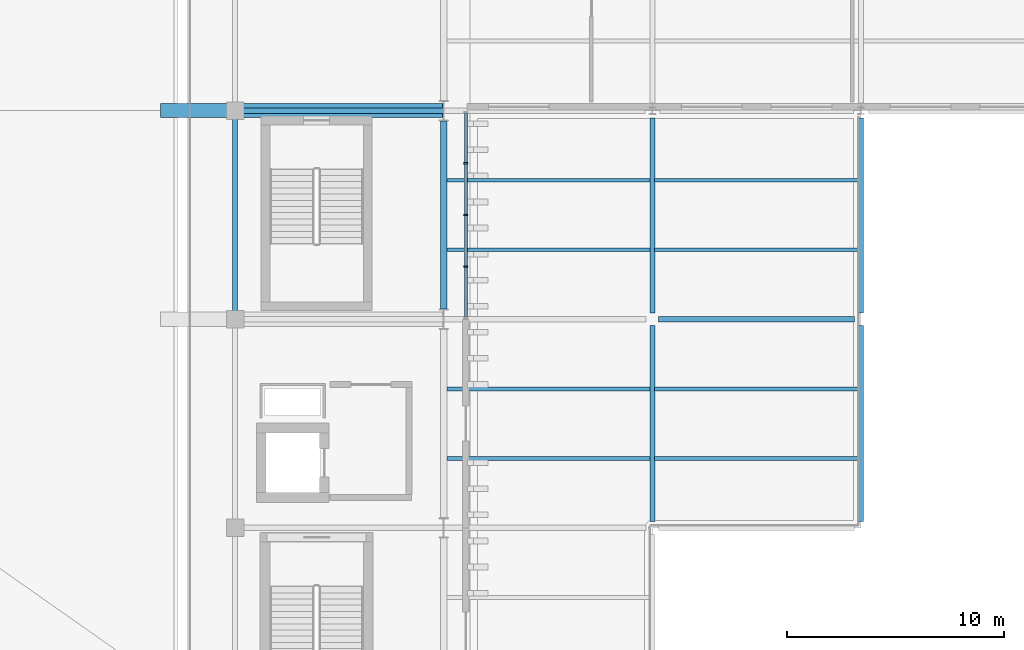
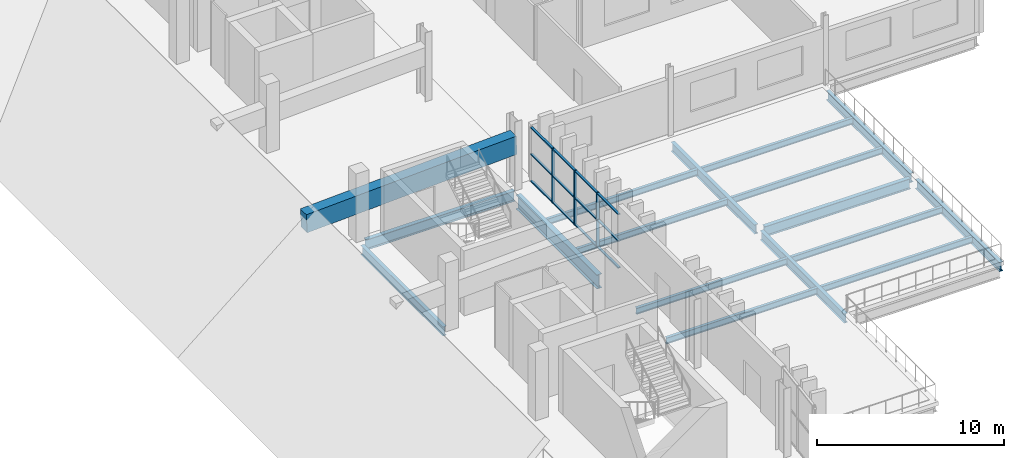
# One storey, part 22 of 69: 17 beams, 15 members, 1 element without a shape of its own.
"""IFC4 building model written with IfcOpenShell, lengths in metres."""

from ifc_helpers import new_model, si_unit, direction, frame, origin, origin_2d, place, context, subcontext, project, spatial, rectangle, i_section, extrude, material, layer, layer_set, material_profile, profile_set, type_object, element, aggregate, save


model = new_model("IFC4")

# Units and contexts
model_context = context("Model", 3, precision=1e-05, world=origin(), true_north=direction((0.0, 1.0)))
body_context = subcontext(model_context, "Body", "Model", "MODEL_VIEW")
ifc_project = project(units=[si_unit("LENGTHUNIT", "METRE"), si_unit("AREAUNIT", "SQUARE_METRE"), si_unit("VOLUMEUNIT", "CUBIC_METRE"), si_unit("PLANEANGLEUNIT", "RADIAN"), si_unit("MASSUNIT", "GRAM", prefix="KILO")], contexts=[model_context])

# Site, building, storey
site_placement = place(None, origin())
site = spatial("IfcSite", under=ifc_project, at=site_placement, CompositionType="ELEMENT")
building_placement = place(site_placement, origin())
building = spatial("IfcBuilding", under=site, at=building_placement, Name="Caelomonte Colonnade Arena", CompositionType="ELEMENT")
storey_placement = place(building_placement, frame((0.0, 0.0, 18.60009765625)))
storey = spatial("IfcBuildingStorey", under=building, at=storey_placement, Name="L04", CompositionType="ELEMENT", Elevation=18.60009765625)

# Curtain wall, members
ifc_material_1 = material(Name="Bronze anodised aluminium and low-E glazing", Category="aluminium")
ifc_layer = layer(ifc_material_1, 0.179931640625)
ifc_layer_set = layer_set([ifc_layer], Name="Bronze anodised aluminium and low-E glazing")
curtain_wall_type = type_object("IfcCurtainWallType", Name="ENV-CW-CW-L04-97-36", PredefinedType="USERDEFINED", material=ifc_layer_set)
curtain_wall_placement = place(storey_placement, origin())
curtain_wall = element("IfcCurtainWall", 1, at=curtain_wall_placement, inside=storey, type_object=curtain_wall_type, Name="L04 unitized curtain wall CW-L04-1642-0625", ObjectType="UNITIZED CURTAIN WALL", PredefinedType="USERDEFINED")
ifc_material_2 = material(Name="Bronze anodised aluminium AA6063-T6", Category="aluminium")
ifc_material_profile_1 = material_profile(ifc_material_2, rectangle(XDim=0.070068359375, YDim=0.179931640625, at=origin_2d()), Name="CWM-70X180")
ifc_profile_set_1 = profile_set([ifc_material_profile_1], Name="Bronze anodised aluminium AA6063-T6")
member_type_1 = type_object("IfcMemberType", Name="ENV-CW-MULL1", PredefinedType="MULLION", material=ifc_profile_set_1)
member_1_placement = place(storey_placement, frame((164.219970703125, 60.02001953125, 0.0), z_axis=(0.0, 0.0, 1.0), x_axis=(0.0, 1.0, 0.0)))
member_1 = element("IfcMember", 2, at=member_1_placement, type_object=member_type_1, Name="CW-L04-97-36 mullion 2", PredefinedType="MULLION", context=body_context, shape_type="SweptSolid", body=[
    extrude(rectangle(XDim=0.070068359375, YDim=0.179931640625, at=origin_2d()), origin(), (0.0, 0.0, 1.0), 3.561767578125),
])
member_2_placement = place(storey_placement, frame((164.219970703125, 62.39990234375, 0.0), z_axis=(0.0, 0.0, 1.0), x_axis=(0.0, 1.0, 0.0)))
member_2 = element("IfcMember", 3, at=member_2_placement, type_object=member_type_1, Name="CW-L04-97-36 mullion 3", PredefinedType="MULLION", context=body_context, shape_type="SweptSolid", body=[
    extrude(rectangle(XDim=0.070068359375, YDim=0.179931640625, at=origin_2d()), origin(), (0.0, 0.0, 1.0), 3.561767578125),
])
member_3_placement = place(storey_placement, frame((164.219970703125, 64.780029296875, 0.0), z_axis=(0.0, 0.0, 1.0), x_axis=(0.0, 1.0, 0.0)))
member_3 = element("IfcMember", 4, at=member_3_placement, type_object=member_type_1, Name="CW-L04-97-36 mullion 4", PredefinedType="MULLION", context=body_context, shape_type="SweptSolid", body=[
    extrude(rectangle(XDim=0.070068359375, YDim=0.179931640625, at=origin_2d()), origin(), (0.0, 0.0, 1.0), 3.561767578125),
])
ifc_material_profile_2 = material_profile(ifc_material_2, rectangle(XDim=0.070068359375, YDim=0.139892578125, at=origin_2d()), Name="CWT-70X140")
ifc_profile_set_2 = profile_set([ifc_material_profile_2], Name="Bronze anodised aluminium AA6063-T6")
member_type_2 = type_object("IfcMemberType", Name="ENV-CW-TRAN1", PredefinedType="USERDEFINED", material=ifc_profile_set_2)
member_4_placement = place(storey_placement, frame((164.219970703125, 57.7099609375, 0.034912109375), z_axis=(0.0, 1.0, 0.0), x_axis=(0.0, 0.0, 1.0)))
member_4 = element("IfcMember", 5, at=member_4_placement, type_object=member_type_2, Name="CW-L04-97-36 transom 1.1", ObjectType="TRANSOM", PredefinedType="USERDEFINED", context=body_context, shape_type="SweptSolid", body=[
    extrude(rectangle(XDim=0.070068359375, YDim=0.139892578125, at=origin_2d()), origin(), (0.0, 0.0, 1.0), 2.275146484375),
])
member_5_placement = place(storey_placement, frame((164.219970703125, 57.7099609375, 1.78076171875), z_axis=(0.0, 1.0, 0.0), x_axis=(0.0, 0.0, 1.0)))
member_5 = element("IfcMember", 6, at=member_5_placement, type_object=member_type_2, Name="CW-L04-97-36 transom 1.2", ObjectType="TRANSOM", PredefinedType="USERDEFINED", context=body_context, shape_type="SweptSolid", body=[
    extrude(rectangle(XDim=0.070068359375, YDim=0.139892578125, at=origin_2d()), origin(), (0.0, 0.0, 1.0), 2.275146484375),
])
member_6_placement = place(storey_placement, frame((164.219970703125, 57.7099609375, 3.526611328125), z_axis=(0.0, 1.0, 0.0), x_axis=(0.0, 0.0, 1.0)))
member_6 = element("IfcMember", 7, at=member_6_placement, type_object=member_type_2, Name="CW-L04-97-36 transom 1.3", ObjectType="TRANSOM", PredefinedType="USERDEFINED", context=body_context, shape_type="SweptSolid", body=[
    extrude(rectangle(XDim=0.070068359375, YDim=0.139892578125, at=origin_2d()), origin(), (0.0, 0.0, 1.0), 2.275146484375),
])
member_7_placement = place(storey_placement, frame((164.219970703125, 60.054931640625, 0.034912109375), z_axis=(0.0, 1.0, 0.0), x_axis=(0.0, 0.0, 1.0)))
member_7 = element("IfcMember", 8, at=member_7_placement, type_object=member_type_2, Name="CW-L04-97-36 transom 2.1", ObjectType="TRANSOM", PredefinedType="USERDEFINED", context=body_context, shape_type="SweptSolid", body=[
    extrude(rectangle(XDim=0.070068359375, YDim=0.139892578125, at=origin_2d()), origin(), (0.0, 0.0, 1.0), 2.31005859375),
])
member_8_placement = place(storey_placement, frame((164.219970703125, 60.054931640625, 1.78076171875), z_axis=(0.0, 1.0, 0.0), x_axis=(0.0, 0.0, 1.0)))
member_8 = element("IfcMember", 9, at=member_8_placement, type_object=member_type_2, Name="CW-L04-97-36 transom 2.2", ObjectType="TRANSOM", PredefinedType="USERDEFINED", context=body_context, shape_type="SweptSolid", body=[
    extrude(rectangle(XDim=0.070068359375, YDim=0.139892578125, at=origin_2d()), origin(), (0.0, 0.0, 1.0), 2.31005859375),
])
member_9_placement = place(storey_placement, frame((164.219970703125, 60.054931640625, 3.526611328125), z_axis=(0.0, 1.0, 0.0), x_axis=(0.0, 0.0, 1.0)))
member_9 = element("IfcMember", 10, at=member_9_placement, type_object=member_type_2, Name="CW-L04-97-36 transom 2.3", ObjectType="TRANSOM", PredefinedType="USERDEFINED", context=body_context, shape_type="SweptSolid", body=[
    extrude(rectangle(XDim=0.070068359375, YDim=0.139892578125, at=origin_2d()), origin(), (0.0, 0.0, 1.0), 2.31005859375),
])
member_10_placement = place(storey_placement, frame((164.219970703125, 62.43505859375, 0.034912109375), z_axis=(0.0, 1.0, 0.0), x_axis=(0.0, 0.0, 1.0)))
member_10 = element("IfcMember", 11, at=member_10_placement, type_object=member_type_2, Name="CW-L04-97-36 transom 3.1", ObjectType="TRANSOM", PredefinedType="USERDEFINED", context=body_context, shape_type="SweptSolid", body=[
    extrude(rectangle(XDim=0.070068359375, YDim=0.139892578125, at=origin_2d()), origin(), (0.0, 0.0, 1.0), 2.31005859375),
])
member_11_placement = place(storey_placement, frame((164.219970703125, 62.43505859375, 1.78076171875), z_axis=(0.0, 1.0, 0.0), x_axis=(0.0, 0.0, 1.0)))
member_11 = element("IfcMember", 12, at=member_11_placement, type_object=member_type_2, Name="CW-L04-97-36 transom 3.2", ObjectType="TRANSOM", PredefinedType="USERDEFINED", context=body_context, shape_type="SweptSolid", body=[
    extrude(rectangle(XDim=0.070068359375, YDim=0.139892578125, at=origin_2d()), origin(), (0.0, 0.0, 1.0), 2.31005859375),
])
member_12_placement = place(storey_placement, frame((164.219970703125, 62.43505859375, 3.526611328125), z_axis=(0.0, 1.0, 0.0), x_axis=(0.0, 0.0, 1.0)))
member_12 = element("IfcMember", 13, at=member_12_placement, type_object=member_type_2, Name="CW-L04-97-36 transom 3.3", ObjectType="TRANSOM", PredefinedType="USERDEFINED", context=body_context, shape_type="SweptSolid", body=[
    extrude(rectangle(XDim=0.070068359375, YDim=0.139892578125, at=origin_2d()), origin(), (0.0, 0.0, 1.0), 2.31005859375),
])
member_13_placement = place(storey_placement, frame((164.219970703125, 64.81494140625, 0.034912109375), z_axis=(0.0, 1.0, 0.0), x_axis=(0.0, 0.0, 1.0)))
member_13 = element("IfcMember", 14, at=member_13_placement, type_object=member_type_2, Name="CW-L04-97-36 transom 4.1", ObjectType="TRANSOM", PredefinedType="USERDEFINED", context=body_context, shape_type="SweptSolid", body=[
    extrude(rectangle(XDim=0.070068359375, YDim=0.139892578125, at=origin_2d()), origin(), (0.0, 0.0, 1.0), 2.275146484375),
])
member_14_placement = place(storey_placement, frame((164.219970703125, 64.81494140625, 1.78076171875), z_axis=(0.0, 1.0, 0.0), x_axis=(0.0, 0.0, 1.0)))
member_14 = element("IfcMember", 15, at=member_14_placement, type_object=member_type_2, Name="CW-L04-97-36 transom 4.2", ObjectType="TRANSOM", PredefinedType="USERDEFINED", context=body_context, shape_type="SweptSolid", body=[
    extrude(rectangle(XDim=0.070068359375, YDim=0.139892578125, at=origin_2d()), origin(), (0.0, 0.0, 1.0), 2.275146484375),
])
member_15_placement = place(storey_placement, frame((164.219970703125, 64.81494140625, 3.526611328125), z_axis=(0.0, 1.0, 0.0), x_axis=(0.0, 0.0, 1.0)))
member_15 = element("IfcMember", 16, at=member_15_placement, type_object=member_type_2, Name="CW-L04-97-36 transom 4.3", ObjectType="TRANSOM", PredefinedType="USERDEFINED", context=body_context, shape_type="SweptSolid", body=[
    extrude(rectangle(XDim=0.070068359375, YDim=0.139892578125, at=origin_2d()), origin(), (0.0, 0.0, 1.0), 2.275146484375),
])
aggregate(curtain_wall, [member_1, member_2, member_3, member_4, member_5, member_6, member_7, member_8, member_9, member_10, member_11, member_12, member_13, member_14, member_15])

# Beams
ifc_material_3 = material(Name="Wide-flange steel ASTM A992 Grade 50", Category="steel")
ifc_material_profile_3 = material_profile(ifc_material_3, i_section(OverallWidth=0.307861328125, OverallDepth=0.927001953125, WebThickness=0.019287109375, FlangeThickness=0.031982421875, FilletRadius=0.020263671875, at=origin_2d()), Name="W36X194")
ifc_profile_set_3 = profile_set([ifc_material_profile_3], Name="Wide-flange steel ASTM A992 Grade 50")
beam_type_1 = type_object("IfcBeamType", Name="STR-BM-EAVES2", PredefinedType="SPANDREL", material=ifc_profile_set_3)
beam_1_placement = place(storey_placement, frame((163.199951171875, 58.065673828125, -0.7236328125), z_axis=(0.0, 1.0, 0.0), x_axis=(-1.0, 0.0, 0.0)))
element("IfcBeam", 17, at=beam_1_placement, inside=storey, type_object=beam_type_1, Name="L04 girder BMY-L04-1632-0576", PredefinedType="SPANDREL", context=body_context, shape_type="SweptSolid", body=[
    extrude(i_section(OverallWidth=0.307861328125, OverallDepth=0.927001953125, WebThickness=0.019287109375, FlangeThickness=0.031982421875, FilletRadius=0.020263671875, at=origin_2d()), origin(), (0.0, 0.0, 1.0), 8.668701171875),
])
ifc_material_profile_4 = material_profile(ifc_material_3, i_section(OverallWidth=0.227783203125, OverallDepth=0.60205078125, WebThickness=0.010498046875, FlangeThickness=0.014892578125, FilletRadius=0.0126953125, at=origin_2d()), Name="W24X68")
ifc_profile_set_4 = profile_set([ifc_material_profile_4], Name="Wide-flange steel ASTM A992 Grade 50")
beam_type_2 = type_object("IfcBeamType", Name="STR-BM-GIRD24B", PredefinedType="SPANDREL", material=ifc_profile_set_4)
beam_2_placement = place(storey_placement, frame((153.60009765625, 57.991943359375, -0.56103515625), z_axis=(0.0, 1.0, 0.0), x_axis=(-1.0, 0.0, 0.0)))
element("IfcBeam", 18, at=beam_2_placement, inside=storey, type_object=beam_type_2, Name="L04 girder BMY-L04-1536-0576", PredefinedType="SPANDREL", context=body_context, shape_type="SweptSolid", body=[
    extrude(i_section(OverallWidth=0.227783203125, OverallDepth=0.60205078125, WebThickness=0.010498046875, FlangeThickness=0.014892578125, FilletRadius=0.0126953125, at=origin_2d()), origin(), (0.0, 0.0, 1.0), 8.816162109375),
])
beam_3_placement = place(storey_placement, frame((172.800048828125, 48.2919921875, -0.56103515625), z_axis=(0.0, 1.0, 0.0), x_axis=(-1.0, 0.0, 0.0)))
element("IfcBeam", 19, at=beam_3_placement, inside=storey, type_object=beam_type_2, Name="L04 girder BMY-L04-1728-0480", PredefinedType="SPANDREL", context=body_context, shape_type="SweptSolid", body=[
    extrude(i_section(OverallWidth=0.227783203125, OverallDepth=0.60205078125, WebThickness=0.010498046875, FlangeThickness=0.014892578125, FilletRadius=0.0126953125, at=origin_2d()), origin(), (0.0, 0.0, 1.0), 9.01611328125),
])
beam_4_placement = place(storey_placement, frame((172.800048828125, 57.89208984375, -0.56103515625), z_axis=(0.0, 1.0, 0.0), x_axis=(-1.0, 0.0, 0.0)))
element("IfcBeam", 20, at=beam_4_placement, inside=storey, type_object=beam_type_2, Name="L04 girder BMY-L04-1728-0576", PredefinedType="SPANDREL", context=body_context, shape_type="SweptSolid", body=[
    extrude(i_section(OverallWidth=0.227783203125, OverallDepth=0.60205078125, WebThickness=0.010498046875, FlangeThickness=0.014892578125, FilletRadius=0.0126953125, at=origin_2d()), origin(), (0.0, 0.0, 1.0), 8.9658203125),
])
beam_5_placement = place(storey_placement, frame((182.39990234375, 48.2919921875, -0.56103515625), z_axis=(0.0, 1.0, 0.0), x_axis=(-1.0, 0.0, 0.0)))
element("IfcBeam", 21, at=beam_5_placement, inside=storey, type_object=beam_type_2, Name="L04 girder BMY-L04-1824-0480", PredefinedType="SPANDREL", context=body_context, shape_type="SweptSolid", body=[
    extrude(i_section(OverallWidth=0.227783203125, OverallDepth=0.60205078125, WebThickness=0.010498046875, FlangeThickness=0.014892578125, FilletRadius=0.0126953125, at=origin_2d()), origin(), (0.0, 0.0, 1.0), 9.01611328125),
])
beam_6_placement = place(storey_placement, frame((182.39990234375, 57.89208984375, -0.56103515625), z_axis=(0.0, 1.0, 0.0), x_axis=(-1.0, 0.0, 0.0)))
element("IfcBeam", 22, at=beam_6_placement, inside=storey, type_object=beam_type_2, Name="L04 girder BMY-L04-1824-0576", PredefinedType="SPANDREL", context=body_context, shape_type="SweptSolid", body=[
    extrude(i_section(OverallWidth=0.227783203125, OverallDepth=0.60205078125, WebThickness=0.010498046875, FlangeThickness=0.014892578125, FilletRadius=0.0126953125, at=origin_2d()), origin(), (0.0, 0.0, 1.0), 8.9658203125),
])
ifc_material_profile_5 = material_profile(ifc_material_3, i_section(OverallWidth=0.253662109375, OverallDepth=0.683349609375, WebThickness=0.012451171875, FlangeThickness=0.018798828125, FilletRadius=0.01513671875, at=origin_2d()), Name="W27X94")
ifc_profile_set_5 = profile_set([ifc_material_profile_5], Name="Wide-flange steel ASTM A992 Grade 50")
beam_type_3 = type_object("IfcBeamType", Name="STR-BM-GIRD27", PredefinedType="BEAM", material=ifc_profile_set_5)
beam_7_placement = place(storey_placement, frame((173.092041015625, 57.60009765625, -0.601806640625), z_axis=(1.0, 0.0, 0.0), x_axis=(0.0, 1.0, 0.0)))
element("IfcBeam", 23, at=beam_7_placement, inside=storey, type_object=beam_type_3, Name="L04 girder BMX-L04-1728-0576", PredefinedType="BEAM", context=body_context, shape_type="SweptSolid", body=[
    extrude(i_section(OverallWidth=0.253662109375, OverallDepth=0.683349609375, WebThickness=0.012451171875, FlangeThickness=0.018798828125, FilletRadius=0.01513671875, at=origin_2d()), origin(), (0.0, 0.0, 1.0), 9.015869140625),
])
beam_8_placement = place(storey_placement, frame((153.991943359375, 67.199951171875, -0.601806640625), z_axis=(1.0, 0.0, 0.0), x_axis=(0.0, 1.0, 0.0)))
element("IfcBeam", 24, at=beam_8_placement, inside=storey, type_object=beam_type_3, Name="L04 girder BMX-L04-1536-0672", PredefinedType="BEAM", context=body_context, shape_type="SweptSolid", body=[
    extrude(i_section(OverallWidth=0.253662109375, OverallDepth=0.683349609375, WebThickness=0.012451171875, FlangeThickness=0.018798828125, FilletRadius=0.01513671875, at=origin_2d()), origin(), (0.0, 0.0, 1.0), 9.196044921875),
])
ifc_material_profile_6 = material_profile(ifc_material_3, i_section(OverallWidth=0.177734375, OverallDepth=0.406494140625, WebThickness=0.0078125, FlangeThickness=0.0126953125, FilletRadius=0.01025390625, at=origin_2d()), Name="W16X40")
ifc_profile_set_6 = profile_set([ifc_material_profile_6], Name="Wide-flange steel ASTM A992 Grade 50")
beam_type_4 = type_object("IfcBeamType", Name="STR-BM-JOIST16", PredefinedType="JOIST", material=ifc_profile_set_6)
for number, where, z_axis, x_axis, name in (
    (25, (163.348876953125, 51.199951171875, -0.46337890625), (1.0, 0.0, 0.0), (0.0, 1.0, 0.0), "L04 secondary joist 1"),
    (26, (163.348876953125, 54.39990234375, -0.46337890625), (1.0, 0.0, 0.0), (0.0, 1.0, 0.0), "L04 secondary joist 2"),
    (27, (163.348876953125, 60.800048828125, -0.46337890625), (1.0, 0.0, 0.0), (0.0, 1.0, 0.0), "L04 secondary joist 1"),
    (28, (163.348876953125, 64.0, -0.46337890625), (1.0, 0.0, 0.0), (0.0, 1.0, 0.0), "L04 secondary joist 2"),
):
    element("IfcBeam", number, at=place(storey_placement, frame(where, z_axis=z_axis, x_axis=x_axis)), inside=storey, type_object=beam_type_4, Name=name, PredefinedType="JOIST", context=body_context, shape_type="SweptSolid", body=[
        extrude(i_section(OverallWidth=0.177734375, OverallDepth=0.406494140625, WebThickness=0.0078125, FlangeThickness=0.0126953125, FilletRadius=0.01025390625, at=origin_2d()), origin(), (0.0, 0.0, 1.0), 9.34228515625),
    ])
for number, where, z_axis, x_axis, name in (
    (29, (172.908935546875, 51.199951171875, -0.46337890625), (1.0, 0.0, 0.0), (0.0, 1.0, 0.0), "L04 secondary joist 1"),
    (30, (172.908935546875, 54.39990234375, -0.46337890625), (1.0, 0.0, 0.0), (0.0, 1.0, 0.0), "L04 secondary joist 2"),
    (31, (172.908935546875, 60.800048828125, -0.46337890625), (1.0, 0.0, 0.0), (0.0, 1.0, 0.0), "L04 secondary joist 1"),
    (32, (172.908935546875, 64.0, -0.46337890625), (1.0, 0.0, 0.0), (0.0, 1.0, 0.0), "L04 secondary joist 2"),
):
    element("IfcBeam", number, at=place(storey_placement, frame(where, z_axis=z_axis, x_axis=x_axis)), inside=storey, type_object=beam_type_4, Name=name, PredefinedType="JOIST", context=body_context, shape_type="SweptSolid", body=[
        extrude(i_section(OverallWidth=0.177734375, OverallDepth=0.406494140625, WebThickness=0.0078125, FlangeThickness=0.0126953125, FilletRadius=0.01025390625, at=origin_2d()), origin(), (0.0, 0.0, 1.0), 9.382080078125),
    ])
ifc_material_4 = material(Name="Concrete C50/60", Category="concrete")
ifc_material_profile_7 = material_profile(ifc_material_4, rectangle(XDim=0.64990234375, YDim=1.199951171875, at=origin_2d()), Name="RC650X1200")
ifc_profile_set_7 = profile_set([ifc_material_profile_7], Name="Concrete C50/60")
beam_type_5 = type_object("IfcBeamType", Name="STR-BM-RKU", PredefinedType="USERDEFINED", material=ifc_profile_set_7)
beam_9_placement = place(storey_placement, frame((163.179931640625, 67.199951171875, 2.849853515625), z_axis=(-0.998933852291, 0.0, -0.046164474948), x_axis=(0.0, -1.0, 0.0)))
element("IfcBeam", 33, at=beam_9_placement, inside=storey, type_object=beam_type_5, Name="Upper bowl cantilevered raker girder E-67", ObjectType="RAKER", PredefinedType="USERDEFINED", context=body_context, shape_type="SweptSolid", body=[
    extrude(rectangle(XDim=0.64990234375, YDim=1.199951171875, at=origin_2d()), origin(), (0.0, 0.0, 1.0), 12.993896484375),
])

save(model, "model.ifc")
